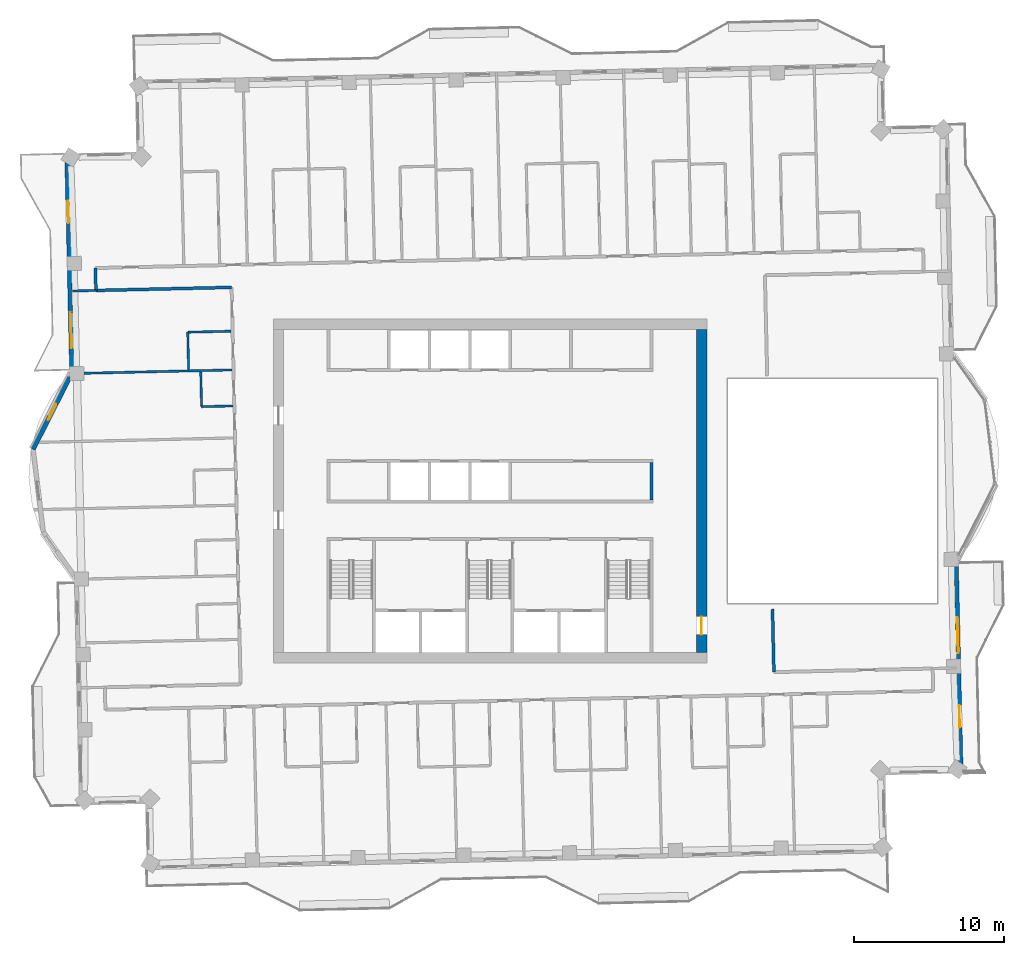
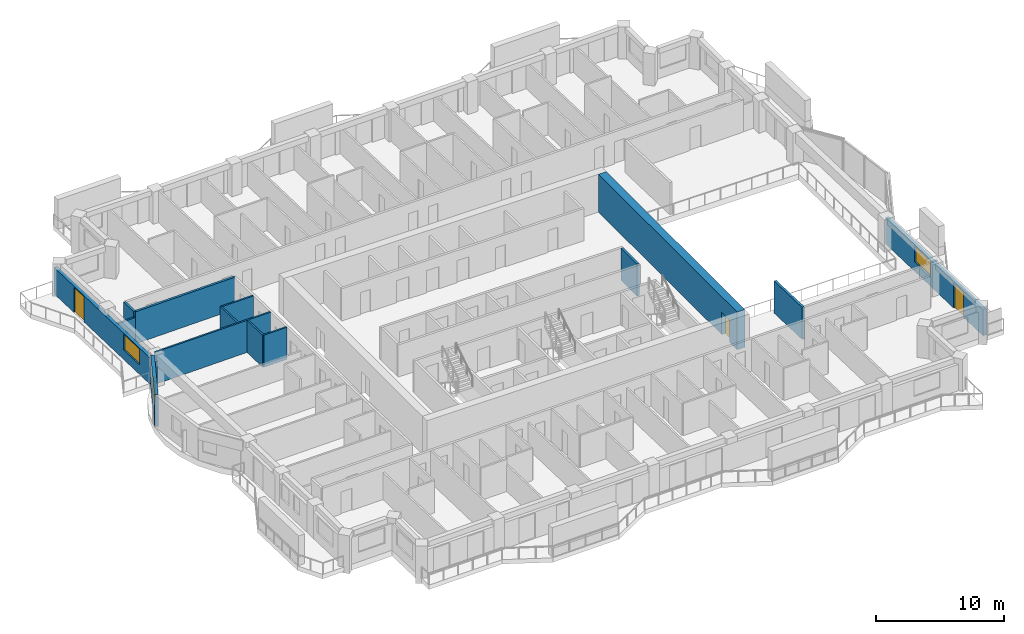
# One storey, part 10 of 18: 14 walls, 3 doors, 3 windows, 6 openings.
"""IFC4 building model written with IfcOpenShell, lengths in metres."""

from ifc_helpers import new_model, si_unit, direction, frame, frame_2d, origin, place, context, subcontext, project, spatial, rectangle, extrude, material, layer, layer_set, type_object, element, fill, save


model = new_model("IFC4")

# Units and contexts
model_context = context("Model", 3, precision=1e-05, world=origin(), true_north=direction((0.0, 1.0)))
body_context = subcontext(model_context, "Body", "Model", "MODEL_VIEW")
ifc_project = project(units=[si_unit("LENGTHUNIT", "METRE"), si_unit("AREAUNIT", "SQUARE_METRE"), si_unit("VOLUMEUNIT", "CUBIC_METRE"), si_unit("PLANEANGLEUNIT", "RADIAN"), si_unit("MASSUNIT", "GRAM", prefix="KILO")], contexts=[model_context])

# Site, building, storey
site_placement = place(None, origin())
site = spatial("IfcSite", under=ifc_project, at=site_placement, CompositionType="ELEMENT")
building_placement = place(site_placement, origin())
building = spatial("IfcBuilding", under=site, at=building_placement, Name="Mangrove Gate Tower", CompositionType="ELEMENT")
storey_placement = place(building_placement, frame((0.0, 0.0, 290.699951171875)))
storey = spatial("IfcBuildingStorey", under=building, at=storey_placement, Name="L74", CompositionType="ELEMENT", Elevation=290.699951171875)

# Wall
ifc_material_1 = material(Name="Concrete C32/40", Category="concrete")
ifc_layer_1 = layer(ifc_material_1, 0.199951171875)
ifc_layer_set_1 = layer_set([ifc_layer_1], Name="Core room wall 200 C32/40")
wall_type_1 = type_object("IfcWallType", Name="Core room wall 200 C32/40", PredefinedType="STANDARD", material=ifc_layer_set_1)
wall_1_placement = place(storey_placement, frame((10.800048828125, -0.60009765625, 0.0), z_axis=(0.0, 0.0, 1.0), x_axis=(0.0, 1.0, 0.0)))
element("IfcWall", 1, at=wall_1_placement, inside=storey, type_object=wall_type_1, Name="WALL-L74-CORE-24", PredefinedType="STANDARD", context=body_context, shape_type="SweptSolid", body=[
    extrude(rectangle(XDim=2.5, YDim=0.199951171875, at=frame_2d((1.25, 0.0))), origin(), (0.0, 0.0, 1.0), 3.050048828125),
])

# Wall, opening, door
ifc_material_2 = material(Name="Concrete C50/60", Category="concrete")
ifc_layer_2 = layer(ifc_material_2, 0.699951171875)
ifc_layer_set_2 = layer_set([ifc_layer_2], Name="Core wall 700 C50/60")
wall_type_2 = type_object("IfcWallType", Name="Core wall 700 C50/60", PredefinedType="SHEAR", material=ifc_layer_set_2)
wall_2_placement = place(storey_placement, frame((14.14990234375, -10.800048828125, 0.0), z_axis=(0.0, 0.0, 1.0), x_axis=(0.0, 1.0, 0.0)))
wall_2 = element("IfcWall", 2, at=wall_2_placement, inside=storey, type_object=wall_type_2, Name="WALL-L74-CORE-4", PredefinedType="SHEAR", context=body_context, shape_type="SweptSolid", body=[
    extrude(rectangle(XDim=21.60009765625, YDim=0.699951171875, at=frame_2d((10.800048828125, 0.0))), origin(), (0.0, 0.0, 1.0), 3.60009765625),
])
opening_1_placement = place(wall_2_placement, frame((1.199951171875, 0.0, 0.0)))
opening_1 = element("IfcOpeningElement", 3, at=opening_1_placement, cuts=wall_2, Name="Opening CD", PredefinedType="OPENING", context=body_context, shape_type="SweptSolid", body=[
    extrude(rectangle(XDim=1.199951171875, YDim=2.10009765625, at=frame_2d((0.60009765625, 1.050048828125))), frame((0.0, 0.35986328125, 0.0), z_axis=(0.0, -1.0, 0.0), x_axis=(1.0, 0.0, 0.0)), (0.0, 0.0, 1.0), 0.719970703125),
])
ifc_material_3 = material(Name="Fire-rated steel door set", Category="steel")
door_type_1 = type_object("IfcDoorType", Name="Core ring door FD60 1200x2100", OperationType="DOUBLE_DOOR_SINGLE_SWING", PredefinedType="DOOR", material=ifc_material_3)
door_1_placement = place(opening_1_placement, origin())
door_1 = element("IfcDoor", 4, at=door_1_placement, inside=storey, type_object=door_type_1, Name="Core ring door E1", OperationType="DOUBLE_DOOR_SINGLE_SWING", OverallHeight=2.10009765625, OverallWidth=1.199951171875, PredefinedType="DOOR", context=body_context, shape_type="SweptSolid", body=[
    extrude(rectangle(XDim=1.199951171875, YDim=2.10009765625, at=frame_2d((0.60009765625, 1.050048828125))), frame((0.0, 0.02490234375, 0.0), z_axis=(0.0, -1.0, 0.0), x_axis=(1.0, 0.0, 0.0)), (0.0, 0.0, 1.0), 0.050048828125),
])
fill(opening_1, door_1)

# Walls
ifc_material_4 = material(Name="Gypsum board on steel stud, EI 60", Category="steel")
ifc_layer_3 = layer(ifc_material_4, 0.199951171875)
ifc_layer_set_3 = layer_set([ifc_layer_3], Name="Corridor wall EI 60")
wall_type_3 = type_object("IfcWallType", Name="Corridor wall EI 60", PredefinedType="PARTITIONING", material=ifc_layer_set_3)
wall_3_placement = place(storey_placement, frame((18.987060546875, -12.10888671875, 0.0), z_axis=(0.0, 0.0, 1.0), x_axis=(-0.022807092041, 0.999739884446, 0.0)))
element("IfcWall", 5, at=wall_3_placement, inside=storey, type_object=wall_type_3, Name="WALL-L74-036", PredefinedType="PARTITIONING", context=body_context, shape_type="SweptSolid", body=[
    extrude(rectangle(XDim=4.206787109375, YDim=0.199951171875, at=frame_2d((2.103515625, 0.0))), origin(), (0.0, 0.0, 1.0), 3.050048828125),
])
wall_4_placement = place(storey_placement, frame((-26.366943359375, 13.4189453125, 0.0), z_axis=(0.0, 0.0, 1.0), x_axis=(0.999742888587, 0.022675024131, 0.0)))
element("IfcWall", 6, at=wall_4_placement, inside=storey, type_object=wall_type_3, Name="WALL-L74-055", PredefinedType="PARTITIONING", context=body_context, shape_type="SweptSolid", body=[
    extrude(rectangle(XDim=9.08740234375, YDim=0.199951171875, at=frame_2d((4.543701171875, 0.0))), origin(), (0.0, 0.0, 1.0), 3.050048828125),
])
wall_5_placement = place(storey_placement, frame((-26.364013671875, 13.4189453125, 0.0), z_axis=(0.0, 0.0, 1.0), x_axis=(-0.022632637625, 0.99974384905, 0.0)))
element("IfcWall", 7, at=wall_5_placement, inside=storey, type_object=wall_type_3, Name="WALL-L74-056", PredefinedType="PARTITIONING", context=body_context, shape_type="SweptSolid", body=[
    extrude(rectangle(XDim=1.49951171875, YDim=0.199951171875, at=frame_2d((0.749755859375, 0.0))), origin(), (0.0, 0.0, 1.0), 3.050048828125),
])

# Wall, openings, door, window
ifc_material_5 = material(Name="Limestone", Category="masonry")
ifc_layer_4 = layer(ifc_material_5, 0.0400390625, Name="Limestone cladding")
ifc_material_6 = material(Name="Ventilated air gap")
ifc_layer_5 = layer(ifc_material_6, 0.0400390625, Name="Ventilated cavity")
ifc_material_7 = material(Name="Mineral wool insulation")
ifc_layer_6 = layer(ifc_material_7, 0.06005859375, Name="Insulation")
ifc_material_8 = material(Name="Breather membrane")
ifc_layer_7 = layer(ifc_material_8, 0.001953125, Name="Breather membrane")
ifc_material_9 = material(Name="Concrete C20/25 blockwork", Category="masonry")
ifc_layer_8 = layer(ifc_material_9, 0.14990234375, Name="Blockwork backing wall")
ifc_material_10 = material(Name="Gypsum plaster")
ifc_layer_9 = layer(ifc_material_10, 0.008056640625, Name="Internal plaster")
ifc_layer_set_4 = layer_set([ifc_layer_4, ifc_layer_5, ifc_layer_6, ifc_layer_7, ifc_layer_8, ifc_layer_9], Name="External wall 300 limestone cladding")
wall_type_4 = type_object("IfcWallType", Name="External wall 300 limestone cladding", PredefinedType="SOLIDWALL", material=ifc_layer_set_4)
wall_6_placement = place(storey_placement, frame((31.488037109375, -18.72705078125, 0.0), z_axis=(0.0, 0.0, 1.0), x_axis=(-0.022666132143, 0.999743090226, 0.0)))
wall_6 = element("IfcWall", 8, at=wall_6_placement, inside=storey, type_object=wall_type_4, Name="WALL-L74-E0s1", PredefinedType="SOLIDWALL", context=body_context, shape_type="SweptSolid", body=[
    extrude(rectangle(XDim=14.648681640625, YDim=0.300048828125, at=frame_2d((7.32421875, 0.0))), origin(), (0.0, 0.0, 1.0), 2.5),
])
opening_2_placement = place(wall_6_placement, frame((2.9150390625, 0.0, 0.0)))
opening_2 = element("IfcOpeningElement", 9, at=opening_2_placement, cuts=wall_6, Name="Opening BD1", PredefinedType="OPENING", context=body_context, shape_type="SweptSolid", body=[
    extrude(rectangle(XDim=1.5, YDim=2.39990234375, at=frame_2d((0.75, 1.199951171875))), frame((0.0, 0.159912109375, 0.0), z_axis=(0.0, -1.0, 0.0), x_axis=(1.0, 0.0, 0.0)), (0.0, 0.0, 1.0), 0.320068359375),
])
opening_3_placement = place(wall_6_placement, frame((7.89501953125, 0.0, 0.89990234375)))
opening_3 = element("IfcOpeningElement", 10, at=opening_3_placement, cuts=wall_6, Name="Opening W2", PredefinedType="OPENING", context=body_context, shape_type="SweptSolid", body=[
    extrude(rectangle(XDim=2.39990234375, YDim=1.5, at=frame_2d((1.199951171875, 0.75))), frame((0.0, 0.159912109375, 0.0), z_axis=(0.0, -1.0, 0.0), x_axis=(1.0, 0.0, 0.0)), (0.0, 0.0, 1.0), 0.320068359375),
])
ifc_material_11 = material(Name="Aluminium frame with laminated clear glass", Category="aluminium")
door_type_2 = type_object("IfcDoorType", Name="Balcony sliding door 1500x2400", OperationType="SLIDING_TO_LEFT", PredefinedType="DOOR", material=ifc_material_11)
door_2_placement = place(opening_2_placement, origin())
door_2 = element("IfcDoor", 11, at=door_2_placement, inside=storey, type_object=door_type_2, Name="DOOR-L74-E0-1", OperationType="SLIDING_TO_LEFT", OverallHeight=2.39990234375, OverallWidth=1.5, PredefinedType="DOOR", context=body_context, shape_type="SweptSolid", body=[
    extrude(rectangle(XDim=1.5, YDim=2.39990234375, at=frame_2d((0.75, 1.199951171875))), frame((0.0, 0.02490234375, 0.0), z_axis=(0.0, -1.0, 0.0), x_axis=(1.0, 0.0, 0.0)), (0.0, 0.0, 1.0), 0.050048828125),
])
fill(opening_2, door_2)
ifc_material_12 = material(Name="Aluminium frame with double-glazed low-e glass", Category="aluminium")
window_type_1 = type_object("IfcWindowType", Name="Corner room window 2400x1500", PartitioningType="DOUBLE_PANEL_VERTICAL", PredefinedType="WINDOW", material=ifc_material_12)
window_1_placement = place(opening_3_placement, origin())
window_1 = element("IfcWindow", 12, at=window_1_placement, inside=storey, type_object=window_type_1, Name="WIN-L74-E0-2", OverallHeight=1.5, OverallWidth=2.39990234375, PartitioningType="DOUBLE_PANEL_VERTICAL", PredefinedType="WINDOW", context=body_context, shape_type="SweptSolid", body=[
    extrude(rectangle(XDim=2.39990234375, YDim=1.5, at=frame_2d((1.199951171875, 0.75))), frame((0.0, 0.030029296875, 0.0), z_axis=(0.0, -1.0, 0.0), x_axis=(1.0, 0.0, 0.0)), (0.0, 0.0, 1.0), 0.06005859375),
])
fill(opening_3, window_1)

wall_7_placement = place(storey_placement, frame((-28.297119140625, 22.427001953125, 0.0), z_axis=(0.0, 0.0, 1.0), x_axis=(0.022663916124, -0.999743140465, 0.0)))
wall_7 = element("IfcWall", 13, at=wall_7_placement, inside=storey, type_object=wall_type_4, Name="WALL-L74-W8s1", PredefinedType="SOLIDWALL", context=body_context, shape_type="SweptSolid", body=[
    extrude(rectangle(XDim=15.048828125, YDim=0.300048828125, at=frame_2d((7.5244140625, 0.0))), origin(), (0.0, 0.0, 1.0), 2.5),
])
opening_4_placement = place(wall_7_placement, frame((3.001953125, 0.0, 0.0)))
opening_4 = element("IfcOpeningElement", 14, at=opening_4_placement, cuts=wall_7, Name="Opening BD1", PredefinedType="OPENING", context=body_context, shape_type="SweptSolid", body=[
    extrude(rectangle(XDim=1.5, YDim=2.39990234375, at=frame_2d((0.75, 1.199951171875))), frame((0.0, 0.159912109375, 0.0), z_axis=(0.0, -1.0, 0.0), x_axis=(1.0, 0.0, 0.0)), (0.0, 0.0, 1.0), 0.320068359375),
])
opening_5_placement = place(wall_7_placement, frame((10.47509765625, 0.0, 0.89990234375)))
opening_5 = element("IfcOpeningElement", 15, at=opening_5_placement, cuts=wall_7, Name="Opening W2", PredefinedType="OPENING", context=body_context, shape_type="SweptSolid", body=[
    extrude(rectangle(XDim=2.39990234375, YDim=1.5, at=frame_2d((1.199951171875, 0.75))), frame((0.0, 0.159912109375, 0.0), z_axis=(0.0, -1.0, 0.0), x_axis=(1.0, 0.0, 0.0)), (0.0, 0.0, 1.0), 0.320068359375),
])
door_3_placement = place(opening_4_placement, origin())
door_3 = element("IfcDoor", 16, at=door_3_placement, inside=storey, type_object=door_type_2, Name="DOOR-L74-W8-1", OperationType="SLIDING_TO_LEFT", OverallHeight=2.39990234375, OverallWidth=1.5, PredefinedType="DOOR", context=body_context, shape_type="SweptSolid", body=[
    extrude(rectangle(XDim=1.5, YDim=2.39990234375, at=frame_2d((0.75, 1.199951171875))), frame((0.0, 0.02490234375, 0.0), z_axis=(0.0, -1.0, 0.0), x_axis=(1.0, 0.0, 0.0)), (0.0, 0.0, 1.0), 0.050048828125),
])
fill(opening_4, door_3)
window_2_placement = place(opening_5_placement, origin())
window_2 = element("IfcWindow", 17, at=window_2_placement, inside=storey, type_object=window_type_1, Name="WIN-L74-W8-2", OverallHeight=1.5, OverallWidth=2.39990234375, PartitioningType="DOUBLE_PANEL_VERTICAL", PredefinedType="WINDOW", context=body_context, shape_type="SweptSolid", body=[
    extrude(rectangle(XDim=2.39990234375, YDim=1.5, at=frame_2d((1.199951171875, 0.75))), frame((0.0, 0.030029296875, 0.0), z_axis=(0.0, -1.0, 0.0), x_axis=(1.0, 0.0, 0.0)), (0.0, 0.0, 1.0), 0.06005859375),
])
fill(opening_5, window_2)

# Wall, opening, window
wall_8_placement = place(storey_placement, frame((-28.1201171875, 7.60791015625, 0.0), z_axis=(0.0, 0.0, 1.0), x_axis=(-0.45266802131, -0.891679125293, 0.0)))
wall_8 = element("IfcWall", 18, at=wall_8_placement, inside=storey, type_object=wall_type_4, Name="WALL-L74-W9f1", PredefinedType="SOLIDWALL", context=body_context, shape_type="SweptSolid", body=[
    extrude(rectangle(XDim=5.398681640625, YDim=0.300048828125, at=frame_2d((2.69921875, 0.0))), origin(), (0.0, 0.0, 1.0), 3.050048828125),
])
opening_6_placement = place(wall_8_placement, frame((2.008056640625, 0.0, 0.89990234375)))
opening_6 = element("IfcOpeningElement", 19, at=opening_6_placement, cuts=wall_8, Name="Opening W1", PredefinedType="OPENING", context=body_context, shape_type="SweptSolid", body=[
    extrude(rectangle(XDim=1.199951171875, YDim=1.5, at=frame_2d((0.60009765625, 0.75))), frame((0.0, 0.159912109375, 0.0), z_axis=(0.0, -1.0, 0.0), x_axis=(1.0, 0.0, 0.0)), (0.0, 0.0, 1.0), 0.320068359375),
])
ifc_material_13 = material(Name="Aluminium frame with double-glazed low-e glass", Category="aluminium")
window_type_2 = type_object("IfcWindowType", Name="Side lite 1200x1500", PartitioningType="SINGLE_PANEL", PredefinedType="WINDOW", material=ifc_material_13)
window_3_placement = place(opening_6_placement, origin())
window_3 = element("IfcWindow", 20, at=window_3_placement, inside=storey, type_object=window_type_2, Name="WIN-L74-W9f1", OverallHeight=1.5, OverallWidth=1.199951171875, PartitioningType="SINGLE_PANEL", PredefinedType="WINDOW", context=body_context, shape_type="SweptSolid", body=[
    extrude(rectangle(XDim=1.199951171875, YDim=1.5, at=frame_2d((0.60009765625, 0.75))), frame((0.0, 0.030029296875, 0.0), z_axis=(0.0, -1.0, 0.0), x_axis=(1.0, 0.0, 0.0)), (0.0, 0.0, 1.0), 0.06005859375),
])
fill(opening_6, window_3)

# Walls
ifc_material_14 = material(Name="Gypsum board on steel stud, EI 60", Category="steel")
ifc_layer_10 = layer(ifc_material_14, 0.14990234375)
ifc_layer_set_5 = layer_set([ifc_layer_10], Name="Party wall 150 EI 60")
wall_type_5 = type_object("IfcWallType", Name="Party wall 150 EI 60", PredefinedType="PARTITIONING", material=ifc_layer_set_5)
wall_9_placement = place(storey_placement, frame((-19.301025390625, 5.64697265625, 0.0), z_axis=(0.0, 0.0, 1.0), x_axis=(0.999748159451, 0.022441427631, 0.0)))
element("IfcWall", 21, at=wall_9_placement, inside=storey, type_object=wall_type_5, Name="WALL-L74-048", PredefinedType="PARTITIONING", context=body_context, shape_type="SweptSolid", body=[
    extrude(rectangle(XDim=2.099609375, YDim=0.14990234375, at=frame_2d((1.0498046875, 0.0))), origin(), (0.0, 0.0, 1.0), 3.050048828125),
])
wall_10_placement = place(storey_placement, frame((-19.2958984375, 5.652099609375, 0.0), z_axis=(0.0, 0.0, 1.0), x_axis=(-0.022895561926, 0.999737862264, 0.0)))
element("IfcWall", 22, at=wall_10_placement, inside=storey, type_object=wall_type_5, Name="WALL-L74-049", PredefinedType="PARTITIONING", context=body_context, shape_type="SweptSolid", body=[
    extrude(rectangle(XDim=2.324462890625, YDim=0.14990234375, at=frame_2d((1.162109375, 0.0))), origin(), (0.0, 0.0, 1.0), 3.050048828125),
])
wall_11_placement = place(storey_placement, frame((-20.162109375, 8.10791015625, 0.0), z_axis=(0.0, 0.0, 1.0), x_axis=(-0.022530308093, 0.999746160391, 0.0)))
element("IfcWall", 23, at=wall_11_placement, inside=storey, type_object=wall_type_5, Name="WALL-L74-051", PredefinedType="PARTITIONING", context=body_context, shape_type="SweptSolid", body=[
    extrude(rectangle(XDim=2.52490234375, YDim=0.14990234375, at=frame_2d((1.262451171875, 0.0))), origin(), (0.0, 0.0, 1.0), 3.050048828125),
])
wall_12_placement = place(storey_placement, frame((-27.81689453125, 7.864013671875, 0.0), z_axis=(0.0, 0.0, 1.0), x_axis=(0.9997418952, 0.022718780382, 0.0)))
element("IfcWall", 24, at=wall_12_placement, inside=storey, type_object=wall_type_5, Name="WALL-L74-052", PredefinedType="PARTITIONING", context=body_context, shape_type="SweptSolid", body=[
    extrude(rectangle(XDim=10.5634765625, YDim=0.14990234375, at=frame_2d((5.28173828125, 0.0))), origin(), (0.0, 0.0, 1.0), 3.050048828125),
])
wall_13_placement = place(storey_placement, frame((-20.214111328125, 10.626953125, 0.0), z_axis=(0.0, 0.0, 1.0), x_axis=(0.999739701447, 0.022815112345, 0.0)))
element("IfcWall", 25, at=wall_13_placement, inside=storey, type_object=wall_type_5, Name="WALL-L74-053", PredefinedType="PARTITIONING", context=body_context, shape_type="SweptSolid", body=[
    extrude(rectangle(XDim=2.89990234375, YDim=0.14990234375, at=frame_2d((1.449951171875, 0.0))), origin(), (0.0, 0.0, 1.0), 3.050048828125),
])
wall_14_placement = place(storey_placement, frame((-27.94189453125, 13.383056640625, 0.0), z_axis=(0.0, 0.0, 1.0), x_axis=(0.999741755729, 0.022724916977, 0.0)))
element("IfcWall", 26, at=wall_14_placement, inside=storey, type_object=wall_type_5, Name="WALL-L74-054", PredefinedType="PARTITIONING", context=body_context, shape_type="SweptSolid", body=[
    extrude(rectangle(XDim=1.579345703125, YDim=0.14990234375, at=frame_2d((0.78955078125, 0.0))), origin(), (0.0, 0.0, 1.0), 2.5),
])

save(model, "model.ifc")
